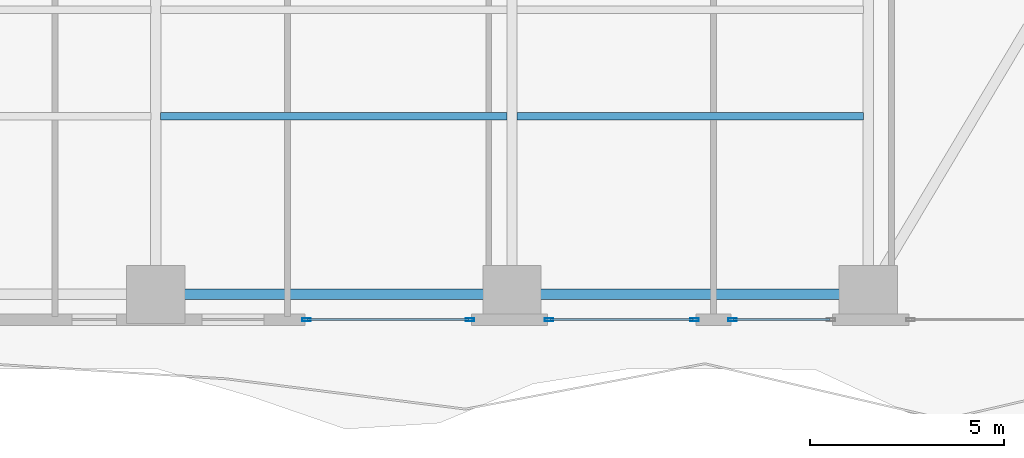
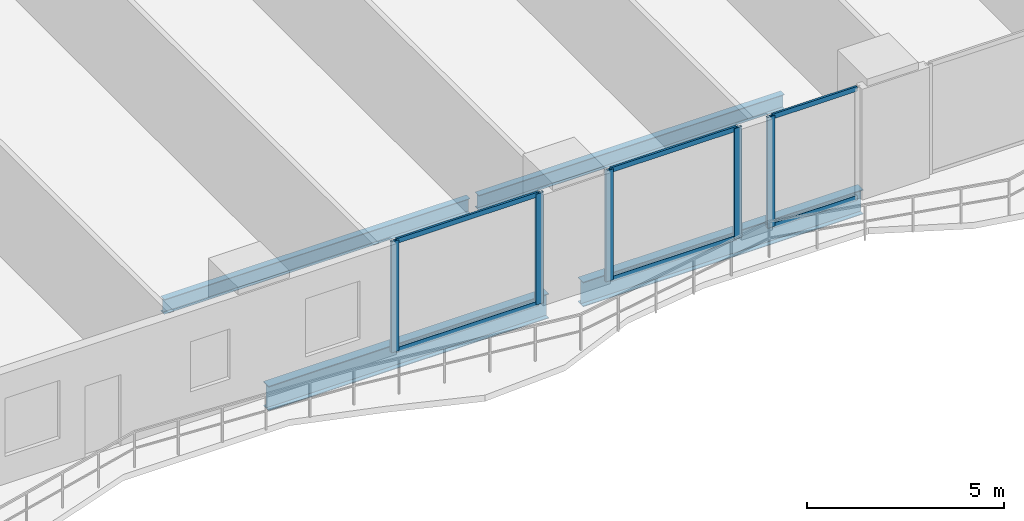
# One storey, part 6 of 30: 11 members, 4 beams, 3 elements without a shape of their own.
"""IFC4 building model written with IfcOpenShell, lengths in metres."""

from ifc_helpers import new_model, si_unit, direction, frame, origin, origin_2d, place, context, subcontext, project, spatial, hollow_rectangle, i_section, extrude, material, layer, layer_set, material_profile, profile_set, type_object, element, aggregate, save


model = new_model("IFC4")

# Units and contexts
model_context = context("Model", 3, precision=1e-05, world=origin(), true_north=direction((0.0, 1.0)))
body_context = subcontext(model_context, "Body", "Model", "MODEL_VIEW")
ifc_project = project(units=[si_unit("LENGTHUNIT", "METRE"), si_unit("AREAUNIT", "SQUARE_METRE"), si_unit("VOLUMEUNIT", "CUBIC_METRE"), si_unit("PLANEANGLEUNIT", "RADIAN"), si_unit("MASSUNIT", "GRAM", prefix="KILO")], contexts=[model_context])

# Site, building, storey
site_placement = place(None, origin())
site = spatial("IfcSite", under=ifc_project, at=site_placement, CompositionType="ELEMENT")
building_placement = place(site_placement, origin())
building = spatial("IfcBuilding", under=site, at=building_placement, Name="Zuhayl Quay Hotel", CompositionType="ELEMENT")
storey_placement = place(building_placement, frame((0.0, 0.0, 27.60009765625)))
storey = spatial("IfcBuildingStorey", under=building, at=storey_placement, Name="L05", CompositionType="ELEMENT", Elevation=27.60009765625)

# Beams
ifc_material_1 = material(Name="Steel ASTM A992 Grade 50", Category="steel")
ifc_material_profile_1 = material_profile(ifc_material_1, i_section(OverallWidth=0.26708984375, OverallDepth=0.761962890625, WebThickness=0.014404296875, FlangeThickness=0.021484375, at=origin_2d()), Name="W30X116")
ifc_profile_set_1 = profile_set([ifc_material_profile_1], Name="Steel ASTM A992 Grade 50")
beam_type_1 = type_object("IfcBeamType", Name="BM_B1_W30X116", PredefinedType="BEAM", material=ifc_profile_set_1)
beam_1_placement = place(storey_placement, frame((-4.10009765625, -22.449951171875, -0.60107421875), z_axis=(1.0, 0.0, 0.0), x_axis=(0.0, 1.0, 0.0)))
element("IfcBeam", 1, at=beam_1_placement, inside=storey, type_object=beam_type_1, Name="L05 Floor Beam RG_L05_02", PredefinedType="BEAM", context=body_context, shape_type="SweptSolid", body=[
    extrude(i_section(OverallWidth=0.26708984375, OverallDepth=0.761962890625, WebThickness=0.014404296875, FlangeThickness=0.021484375, at=origin_2d()), origin(), (0.0, 0.0, 1.0), 8.2001953125),
])
beam_2_placement = place(storey_placement, frame((5.10009765625, -22.449951171875, -0.60107421875), z_axis=(1.0, 0.0, 0.0), x_axis=(0.0, 1.0, 0.0)))
element("IfcBeam", 2, at=beam_2_placement, inside=storey, type_object=beam_type_1, Name="L05 Floor Beam RG_L05_03", PredefinedType="BEAM", context=body_context, shape_type="SweptSolid", body=[
    extrude(i_section(OverallWidth=0.26708984375, OverallDepth=0.761962890625, WebThickness=0.014404296875, FlangeThickness=0.021484375, at=origin_2d()), origin(), (0.0, 0.0, 1.0), 8.199951171875),
])
ifc_material_profile_2 = material_profile(ifc_material_1, i_section(OverallWidth=0.18994140625, OverallDepth=0.45703125, WebThickness=0.009033203125, FlangeThickness=0.014404296875, at=origin_2d()), Name="W18X50")
ifc_profile_set_2 = profile_set([ifc_material_profile_2], Name="Steel ASTM A992 Grade 50")
beam_type_2 = type_object("IfcBeamType", Name="BM_J2_W18X50", PredefinedType="JOIST", material=ifc_profile_set_2)
beam_3_placement = place(storey_placement, frame((-4.474609375, -17.85009765625, -0.448486328125), z_axis=(1.0, 0.0, 0.0), x_axis=(0.0, 1.0, 0.0)))
element("IfcBeam", 3, at=beam_3_placement, inside=storey, type_object=beam_type_2, Name="L05 Floor Beam FJ_L05_3_2", PredefinedType="JOIST", context=body_context, shape_type="SweptSolid", body=[
    extrude(i_section(OverallWidth=0.18994140625, OverallDepth=0.45703125, WebThickness=0.009033203125, FlangeThickness=0.014404296875, at=origin_2d()), origin(), (0.0, 0.0, 1.0), 8.94921875),
])
beam_4_placement = place(storey_placement, frame((4.7255859375, -17.85009765625, -0.448486328125), z_axis=(1.0, 0.0, 0.0), x_axis=(0.0, 1.0, 0.0)))
element("IfcBeam", 4, at=beam_4_placement, inside=storey, type_object=beam_type_2, Name="L05 Floor Beam FJ_L05_3_3", PredefinedType="JOIST", context=body_context, shape_type="SweptSolid", body=[
    extrude(i_section(OverallWidth=0.18994140625, OverallDepth=0.45703125, WebThickness=0.009033203125, FlangeThickness=0.014404296875, at=origin_2d()), origin(), (0.0, 0.0, 1.0), 8.948974609375),
])

# Curtain wall, member
ifc_material_2 = material(Name="Anodised Aluminium 6063-T6", Category="aluminium")
ifc_layer = layer(ifc_material_2, 0.18994140625, Name="Anodised Aluminium 6063-T6", Category="aluminium")
ifc_layer_set = layer_set([ifc_layer], Name="Anodised Aluminium 6063-T6")
curtain_wall_type = type_object("IfcCurtainWallType", Name="CW_SYS_Z1", PredefinedType="USERDEFINED", material=ifc_layer_set)
curtain_wall_1_placement = place(storey_placement, origin())
curtain_wall_1 = element("IfcCurtainWall", 5, at=curtain_wall_1_placement, inside=storey, type_object=curtain_wall_type, Name="L05 Curtain Wall ENV_L05_S_CW2", ObjectType="UNITISED CURTAIN WALL", PredefinedType="USERDEFINED")
ifc_material_3 = material(Name="Black-anodised aluminium 6063-T6", Category="aluminium")
ifc_material_profile_3 = material_profile(ifc_material_3, hollow_rectangle(XDim=0.074951171875, YDim=0.219970703125, WallThickness=0.00390625, at=origin_2d()), Name="ALU220X75")
ifc_profile_set_3 = profile_set([ifc_material_profile_3], Name="Black-anodised aluminium 6063-T6")
member_type_1 = type_object("IfcMemberType", Name="MB_CW_MUL_220", PredefinedType="MULLION", material=ifc_profile_set_3)
member_1_placement = place(storey_placement, frame((10.28759765625, -23.10009765625, 0.0), z_axis=(0.0, 0.0, 1.0), x_axis=(0.0, -1.0, 0.0)))
member_1 = element("IfcMember", 6, at=member_1_placement, type_object=member_type_1, Name="CW-Z1 mullion 2", PredefinedType="MULLION", context=body_context, shape_type="SweptSolid", body=[
    extrude(hollow_rectangle(XDim=0.074951171875, YDim=0.219970703125, WallThickness=0.00390625, at=origin_2d()), origin(), (0.0, 0.0, 1.0), 3.429931640625),
])

# Curtain wall, members
curtain_wall_2_placement = place(storey_placement, origin())
curtain_wall_2 = element("IfcCurtainWall", 7, at=curtain_wall_2_placement, inside=storey, type_object=curtain_wall_type, Name="L05 Curtain Wall ENV_L05_S_CW3", ObjectType="UNITISED CURTAIN WALL", PredefinedType="USERDEFINED")
member_2_placement = place(storey_placement, frame((9.3125, -23.10009765625, 0.0), z_axis=(0.0, 0.0, 1.0), x_axis=(0.0, -1.0, 0.0)))
member_2 = element("IfcMember", 8, at=member_2_placement, type_object=member_type_1, Name="CW-Z1 mullion 1", PredefinedType="MULLION", context=body_context, shape_type="SweptSolid", body=[
    extrude(hollow_rectangle(XDim=0.074951171875, YDim=0.219970703125, WallThickness=0.00390625, at=origin_2d()), origin(), (0.0, 0.0, 1.0), 3.429931640625),
])
member_3_placement = place(storey_placement, frame((5.5576171875, -23.10009765625, 0.0), z_axis=(0.0, 0.0, 1.0), x_axis=(0.0, -1.0, 0.0)))
member_3 = element("IfcMember", 9, at=member_3_placement, type_object=member_type_1, Name="CW-Z1 mullion 2", PredefinedType="MULLION", context=body_context, shape_type="SweptSolid", body=[
    extrude(hollow_rectangle(XDim=0.074951171875, YDim=0.219970703125, WallThickness=0.00390625, at=origin_2d()), origin(), (0.0, 0.0, 1.0), 3.429931640625),
])

curtain_wall_3_placement = place(storey_placement, origin())
curtain_wall_3 = element("IfcCurtainWall", 10, at=curtain_wall_3_placement, inside=storey, type_object=curtain_wall_type, Name="L05 Curtain Wall ENV_L05_S_CW4", ObjectType="UNITISED CURTAIN WALL", PredefinedType="USERDEFINED")
member_4_placement = place(storey_placement, frame((3.512451171875, -23.10009765625, 0.0), z_axis=(0.0, 0.0, 1.0), x_axis=(0.0, -1.0, 0.0)))
member_4 = element("IfcMember", 11, at=member_4_placement, type_object=member_type_1, Name="CW-Z1 mullion 1", PredefinedType="MULLION", context=body_context, shape_type="SweptSolid", body=[
    extrude(hollow_rectangle(XDim=0.074951171875, YDim=0.219970703125, WallThickness=0.00390625, at=origin_2d()), origin(), (0.0, 0.0, 1.0), 3.429931640625),
])
member_5_placement = place(storey_placement, frame((-0.71240234375, -23.10009765625, 0.0), z_axis=(0.0, 0.0, 1.0), x_axis=(0.0, -1.0, 0.0)))
member_5 = element("IfcMember", 12, at=member_5_placement, type_object=member_type_1, Name="CW-Z1 mullion 2", PredefinedType="MULLION", context=body_context, shape_type="SweptSolid", body=[
    extrude(hollow_rectangle(XDim=0.074951171875, YDim=0.219970703125, WallThickness=0.00390625, at=origin_2d()), origin(), (0.0, 0.0, 1.0), 3.429931640625),
])

# Member
ifc_material_profile_4 = material_profile(ifc_material_3, hollow_rectangle(XDim=0.06005859375, YDim=0.14990234375, WallThickness=0.00341796875, at=origin_2d()), Name="ALU150X60")
ifc_profile_set_4 = profile_set([ifc_material_profile_4], Name="Black-anodised aluminium 6063-T6")
member_type_2 = type_object("IfcMemberType", Name="MB_CW_TRN_150", PredefinedType="USERDEFINED", material=ifc_profile_set_4)
member_6_placement = place(storey_placement, frame((12.804931640625, -23.10009765625, 0.02978515625), z_axis=(-1.0, 0.0, 0.0), x_axis=(0.0, -1.0, 0.0)))
member_6 = element("IfcMember", 13, at=member_6_placement, type_object=member_type_2, Name="CW-Z1 transom 1.1", ObjectType="TRANSOM", PredefinedType="USERDEFINED", context=body_context, shape_type="SweptSolid", body=[
    extrude(hollow_rectangle(XDim=0.06005859375, YDim=0.14990234375, WallThickness=0.00341796875, at=origin_2d()), origin(), (0.0, 0.0, 1.0), 2.47998046875),
])

member_7_placement = place(storey_placement, frame((12.804931640625, -23.10009765625, 3.39990234375), z_axis=(-1.0, 0.0, 0.0), x_axis=(0.0, -1.0, 0.0)))
member_7 = element("IfcMember", 14, at=member_7_placement, type_object=member_type_2, Name="CW-Z1 transom 1.2", ObjectType="TRANSOM", PredefinedType="USERDEFINED", context=body_context, shape_type="SweptSolid", body=[
    extrude(hollow_rectangle(XDim=0.06005859375, YDim=0.14990234375, WallThickness=0.00341796875, at=origin_2d()), origin(), (0.0, 0.0, 1.0), 2.47998046875),
])

aggregate(curtain_wall_1, [member_1, member_6, member_7])

member_8_placement = place(storey_placement, frame((9.27490234375, -23.10009765625, 0.02978515625), z_axis=(-1.0, 0.0, 0.0), x_axis=(0.0, -1.0, 0.0)))
member_8 = element("IfcMember", 15, at=member_8_placement, type_object=member_type_2, Name="CW-Z1 transom 1.1", ObjectType="TRANSOM", PredefinedType="USERDEFINED", context=body_context, shape_type="SweptSolid", body=[
    extrude(hollow_rectangle(XDim=0.06005859375, YDim=0.14990234375, WallThickness=0.00341796875, at=origin_2d()), origin(), (0.0, 0.0, 1.0), 3.679931640625),
])

member_9_placement = place(storey_placement, frame((9.27490234375, -23.10009765625, 3.39990234375), z_axis=(-1.0, 0.0, 0.0), x_axis=(0.0, -1.0, 0.0)))
member_9 = element("IfcMember", 16, at=member_9_placement, type_object=member_type_2, Name="CW-Z1 transom 1.2", ObjectType="TRANSOM", PredefinedType="USERDEFINED", context=body_context, shape_type="SweptSolid", body=[
    extrude(hollow_rectangle(XDim=0.06005859375, YDim=0.14990234375, WallThickness=0.00341796875, at=origin_2d()), origin(), (0.0, 0.0, 1.0), 3.679931640625),
])

aggregate(curtain_wall_2, [member_2, member_3, member_8, member_9])

member_10_placement = place(storey_placement, frame((3.47509765625, -23.10009765625, 0.02978515625), z_axis=(-1.0, 0.0, 0.0), x_axis=(0.0, -1.0, 0.0)))
member_10 = element("IfcMember", 17, at=member_10_placement, type_object=member_type_2, Name="CW-Z1 transom 1.1", ObjectType="TRANSOM", PredefinedType="USERDEFINED", context=body_context, shape_type="SweptSolid", body=[
    extrude(hollow_rectangle(XDim=0.06005859375, YDim=0.14990234375, WallThickness=0.00341796875, at=origin_2d()), origin(), (0.0, 0.0, 1.0), 4.150146484375),
])

member_11_placement = place(storey_placement, frame((3.47509765625, -23.10009765625, 3.39990234375), z_axis=(-1.0, 0.0, 0.0), x_axis=(0.0, -1.0, 0.0)))
member_11 = element("IfcMember", 18, at=member_11_placement, type_object=member_type_2, Name="CW-Z1 transom 1.2", ObjectType="TRANSOM", PredefinedType="USERDEFINED", context=body_context, shape_type="SweptSolid", body=[
    extrude(hollow_rectangle(XDim=0.06005859375, YDim=0.14990234375, WallThickness=0.00341796875, at=origin_2d()), origin(), (0.0, 0.0, 1.0), 4.150146484375),
])

aggregate(curtain_wall_3, [member_4, member_5, member_10, member_11])

save(model, "model.ifc")
